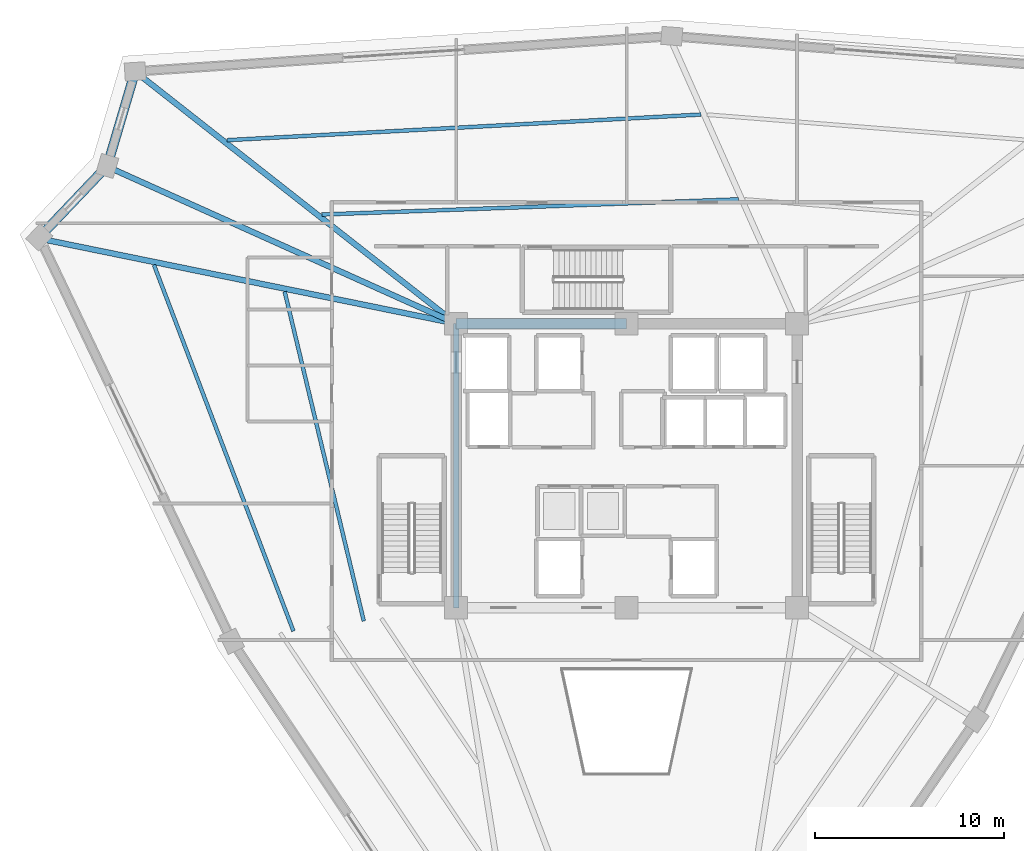
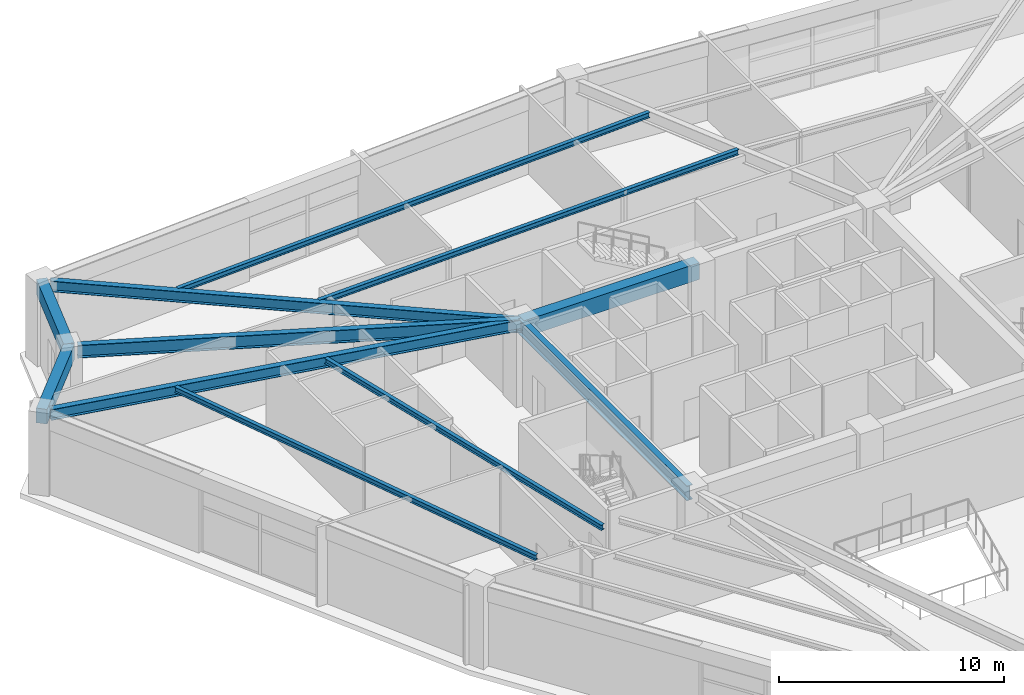
# One storey, part 17 of 35: 11 beams.
"""IFC4 building model written with IfcOpenShell, lengths in metres."""

from ifc_helpers import new_model, si_unit, direction, frame, origin, origin_2d, place, context, subcontext, project, spatial, rectangle, i_section, extrude, source, transform, mapped, material, material_profile, profile_set, type_object, element, save


model = new_model("IFC4")

# Units and contexts
model_context = context("Model", 3, precision=1e-05, world=origin(), true_north=direction((0.0, 1.0)))
body_context = subcontext(model_context, "Body", "Model", "MODEL_VIEW")
ifc_project = project(units=[si_unit("LENGTHUNIT", "METRE"), si_unit("AREAUNIT", "SQUARE_METRE"), si_unit("VOLUMEUNIT", "CUBIC_METRE"), si_unit("PLANEANGLEUNIT", "RADIAN"), si_unit("MASSUNIT", "GRAM", prefix="KILO")], contexts=[model_context])

# Site, building, storey
site_placement = place(None, origin())
site = spatial("IfcSite", under=ifc_project, at=site_placement, CompositionType="ELEMENT")
building_placement = place(site_placement, origin())
building = spatial("IfcBuilding", under=site, at=building_placement, Name="Liaohun Quay Tower", CompositionType="ELEMENT")
storey_placement = place(building_placement, frame((0.0, 0.0, 282.0)))
storey = spatial("IfcBuildingStorey", under=building, at=storey_placement, Name="L73", CompositionType="ELEMENT", Elevation=282.0)

# Beams
ifc_material_1 = material(Name="Steel Q355D", Category="steel")
ifc_material_profile_1 = material_profile(ifc_material_1, i_section(OverallWidth=0.300048828125, OverallDepth=0.800048828125, WebThickness=0.013916015625, FlangeThickness=0.02587890625, at=origin_2d()), Name="HN800x300x14x26")
ifc_profile_set_1 = profile_set([ifc_material_profile_1], Name="Steel Q355D")
beam_type_1 = type_object("IfcBeamType", Name="BM-RAD-M1", PredefinedType="BEAM", material=ifc_profile_set_1)
shared_shape_1 = source(origin(), body_context, "Body", "SweptSolid", [
    extrude(i_section(OverallWidth=0.300048828125, OverallDepth=0.800048828125, WebThickness=0.013916015625, FlangeThickness=0.02587890625, at=origin_2d()), origin(), (0.0, 0.0, 1.0), 15.0),
])
beam_1_placement = place(storey_placement, frame((51.0, 61.5, 3.919921875), z_axis=(0.0, -1.0, 0.0), x_axis=(1.0, 0.0, 0.0)))
element("IfcBeam", 1, at=beam_1_placement, inside=storey, type_object=beam_type_1, Name="L73 Core Coupling/Ring Beam CC6-CC1", PredefinedType="BEAM", context=body_context, shape_type="MappedRepresentation", body=[
    mapped(shared_shape_1, transform((0.0, 0.0, 0.0), x_axis=(1.0, 0.0, 0.0), y_axis=(0.0, 1.0, 0.0), z_axis=(0.0, 0.0, 1.0), scale=1.0)),
])
ifc_material_2 = material(Name="Concrete C55", Category="concrete")
ifc_material_profile_2 = material_profile(ifc_material_2, rectangle(XDim=0.550048828125, YDim=0.89990234375, at=origin_2d()), Name="RC550x900")
ifc_profile_set_2 = profile_set([ifc_material_profile_2], Name="Concrete C55")
beam_type_2 = type_object("IfcBeamType", Name="BM-CPL-2", PredefinedType="LINTEL", material=ifc_profile_set_2)
shared_shape_2 = source(origin(), body_context, "Body", "SweptSolid", [
    extrude(rectangle(XDim=0.550048828125, YDim=0.89990234375, at=origin_2d()), origin(), (0.0, 0.0, 1.0), 9.0),
])
beam_2_placement = place(storey_placement, frame((60.0, 61.5, 3.8701171875), z_axis=(-1.0, 0.0, 0.0), x_axis=(0.0, -1.0, 0.0)))
element("IfcBeam", 2, at=beam_2_placement, inside=storey, type_object=beam_type_2, Name="L73 Core Coupling/Ring Beam CC5-CC6", PredefinedType="LINTEL", context=body_context, shape_type="MappedRepresentation", body=[
    mapped(shared_shape_2, transform((0.0, 0.0, 0.0), x_axis=(1.0, 0.0, 0.0), y_axis=(0.0, 1.0, 0.0), z_axis=(0.0, 0.0, 1.0), scale=1.0)),
])
ifc_material_3 = material(Name="Precast concrete C50", Category="concrete")
ifc_material_profile_3 = material_profile(ifc_material_3, rectangle(XDim=0.5, YDim=0.800048828125, at=origin_2d()), Name="RC500x800")
ifc_profile_set_3 = profile_set([ifc_material_profile_3], Name="Precast concrete C50")
beam_type_3 = type_object("IfcBeamType", Name="BM-SPD-Z4", PredefinedType="SPANDREL", material=ifc_profile_set_3)
shared_shape_3 = source(origin(), body_context, "Body", "SweptSolid", [
    extrude(rectangle(XDim=0.5, YDim=0.800048828125, at=origin_2d()), origin(), (0.0, 0.0, 1.0), 5.20654296875),
])
beam_3_placement = place(storey_placement, frame((28.99609375, 66.055908203125, 3.919921875), z_axis=(0.689303823825, 0.724472386265, 0.0), x_axis=(-0.724472386265, 0.689303823825, 0.0)))
element("IfcBeam", 3, at=beam_3_placement, inside=storey, type_object=beam_type_3, Name="L73 Precast Spandrel Beam PC03-PC04", PredefinedType="SPANDREL", context=body_context, shape_type="MappedRepresentation", body=[
    mapped(shared_shape_3, transform((0.0, 0.0, 0.0), x_axis=(1.0, 0.0, 0.0), y_axis=(0.0, 1.0, 0.0), z_axis=(0.0, 0.0, 1.0), scale=1.0)),
])
shared_shape_4 = source(origin(), body_context, "Body", "SweptSolid", [
    extrude(rectangle(XDim=0.5, YDim=0.800048828125, at=origin_2d()), origin(), (0.0, 0.0, 1.0), 5.199462890625),
])
beam_4_placement = place(storey_placement, frame((32.5849609375, 69.827880859375, 3.919921875), z_axis=(0.282903463014, 0.959148388215, 0.0), x_axis=(-0.959148388215, 0.282903463014, 0.0)))
element("IfcBeam", 4, at=beam_4_placement, inside=storey, type_object=beam_type_3, Name="L73 Precast Spandrel Beam PC04-PC05", PredefinedType="SPANDREL", context=body_context, shape_type="MappedRepresentation", body=[
    mapped(shared_shape_4, transform((0.0, 0.0, 0.0), x_axis=(1.0, 0.0, 0.0), y_axis=(0.0, 1.0, 0.0), z_axis=(0.0, 0.0, 1.0), scale=1.0)),
])
ifc_material_profile_4 = material_profile(ifc_material_1, i_section(OverallWidth=0.300048828125, OverallDepth=0.587890625, WebThickness=0.011962890625, FlangeThickness=0.02001953125, at=origin_2d()), Name="HM588x300x12x20")
ifc_profile_set_4 = profile_set([ifc_material_profile_4], Name="Steel Q355D")
beam_type_4 = type_object("IfcBeamType", Name="BM-RAD-U2", PredefinedType="BEAM", material=ifc_profile_set_4)
shared_shape_5 = source(origin(), body_context, "Body", "SweptSolid", [
    extrude(i_section(OverallWidth=0.300048828125, OverallDepth=0.587890625, WebThickness=0.011962890625, FlangeThickness=0.02001953125, at=origin_2d()), origin(), (0.0, 0.0, 1.0), 22.088134765625),
])
beam_5_placement = place(storey_placement, frame((51.0, 61.5, 4.02587890625), z_axis=(-0.979801937403, 0.199970406465, 0.0), x_axis=(-0.199970406465, -0.979801937403, 0.0)))
element("IfcBeam", 5, at=beam_5_placement, inside=storey, type_object=beam_type_4, Name="L73 Radial Primary Girder CC6-PC03", PredefinedType="BEAM", context=body_context, shape_type="MappedRepresentation", body=[
    mapped(shared_shape_5, transform((0.0, 0.0, 0.0), x_axis=(1.0, 0.0, 0.0), y_axis=(0.0, 1.0, 0.0), z_axis=(0.0, 0.0, 1.0), scale=1.0)),
])
ifc_material_profile_5 = material_profile(ifc_material_1, i_section(OverallWidth=0.300048828125, OverallDepth=0.699951171875, WebThickness=0.012939453125, FlangeThickness=0.02392578125, at=origin_2d()), Name="HN700x300x13x24")
ifc_profile_set_5 = profile_set([ifc_material_profile_5], Name="Steel Q355D")
beam_type_5 = type_object("IfcBeamType", Name="BM-RAD-U1", PredefinedType="BEAM", material=ifc_profile_set_5)
shared_shape_6 = source(origin(), body_context, "Body", "SweptSolid", [
    extrude(i_section(OverallWidth=0.300048828125, OverallDepth=0.699951171875, WebThickness=0.012939453125, FlangeThickness=0.02392578125, at=origin_2d()), origin(), (0.0, 0.0, 1.0), 19.843994140625),
])
beam_6_placement = place(storey_placement, frame((51.0, 61.5, 3.969970703125), z_axis=(-0.911905160232, 0.410400997491, 0.0), x_axis=(-0.410400997491, -0.911905160232, 0.0)))
element("IfcBeam", 6, at=beam_6_placement, inside=storey, type_object=beam_type_5, Name="L73 Radial Primary Girder CC6-PC04", PredefinedType="BEAM", context=body_context, shape_type="MappedRepresentation", body=[
    mapped(shared_shape_6, transform((0.0, 0.0, 0.0), x_axis=(1.0, 0.0, 0.0), y_axis=(0.0, 1.0, 0.0), z_axis=(0.0, 0.0, 1.0), scale=1.0)),
])
shared_shape_7 = source(origin(), body_context, "Body", "SweptSolid", [
    extrude(i_section(OverallWidth=0.300048828125, OverallDepth=0.587890625, WebThickness=0.011962890625, FlangeThickness=0.02001953125, at=origin_2d()), origin(), (0.0, 0.0, 1.0), 21.16162109375),
])
beam_7_placement = place(storey_placement, frame((51.0, 61.5, 4.02587890625), z_axis=(-0.786470441926, 0.617627917097, 0.0), x_axis=(-0.617627917097, -0.786470441926, 0.0)))
element("IfcBeam", 7, at=beam_7_placement, inside=storey, type_object=beam_type_4, Name="L73 Radial Primary Girder CC6-PC05", PredefinedType="BEAM", context=body_context, shape_type="MappedRepresentation", body=[
    mapped(shared_shape_7, transform((0.0, 0.0, 0.0), x_axis=(1.0, 0.0, 0.0), y_axis=(0.0, 1.0, 0.0), z_axis=(0.0, 0.0, 1.0), scale=1.0)),
])
ifc_material_profile_6 = material_profile(ifc_material_1, i_section(OverallWidth=0.199951171875, OverallDepth=0.2939453125, WebThickness=0.008056640625, FlangeThickness=0.011962890625, at=origin_2d()), Name="HM294x200x8x12")
ifc_profile_set_6 = profile_set([ifc_material_profile_6], Name="Steel Q355D")
beam_type_6 = type_object("IfcBeamType", Name="BM-SEC-J4", PredefinedType="JOIST", material=ifc_profile_set_6)
shared_shape_8 = source(origin(), body_context, "Body", "SweptSolid", [
    extrude(i_section(OverallWidth=0.199951171875, OverallDepth=0.2939453125, WebThickness=0.008056640625, FlangeThickness=0.011962890625, at=origin_2d()), origin(), (0.0, 0.0, 1.0), 17.8896484375),
])
beam_8_placement = place(storey_placement, frame((46.126953125, 45.799072265625, 4.173095703125), z_axis=(-0.233540697382, 0.9723470279, 0.0), x_axis=(-0.9723470279, -0.233540697382, 0.0)))
element("IfcBeam", 8, at=beam_8_placement, inside=storey, type_object=beam_type_6, Name="L73 Wing Secondary Floor Joist SJ-04", PredefinedType="JOIST", context=body_context, shape_type="MappedRepresentation", body=[
    mapped(shared_shape_8, transform((0.0, 0.0, 0.0), x_axis=(1.0, 0.0, 0.0), y_axis=(0.0, 1.0, 0.0), z_axis=(0.0, 0.0, 1.0), scale=1.0)),
])
shared_shape_9 = source(origin(), body_context, "Body", "SweptSolid", [
    extrude(i_section(OverallWidth=0.199951171875, OverallDepth=0.2939453125, WebThickness=0.008056640625, FlangeThickness=0.011962890625, at=origin_2d()), origin(), (0.0, 0.0, 1.0), 20.693603515625),
])
beam_9_placement = place(storey_placement, frame((42.4140625, 45.264892578125, 4.173095703125), z_axis=(-0.355955588077, 0.934502872824, 0.0), x_axis=(-0.934502872824, -0.355955588077, 0.0)))
element("IfcBeam", 9, at=beam_9_placement, inside=storey, type_object=beam_type_6, Name="L73 Wing Secondary Floor Joist SJ-05", PredefinedType="JOIST", context=body_context, shape_type="MappedRepresentation", body=[
    mapped(shared_shape_9, transform((0.0, 0.0, 0.0), x_axis=(1.0, 0.0, 0.0), y_axis=(0.0, 1.0, 0.0), z_axis=(0.0, 0.0, 1.0), scale=1.0)),
])
shared_shape_10 = source(origin(), body_context, "Body", "SweptSolid", [
    extrude(i_section(OverallWidth=0.199951171875, OverallDepth=0.2939453125, WebThickness=0.008056640625, FlangeThickness=0.011962890625, at=origin_2d()), origin(), (0.0, 0.0, 1.0), 22.022705078125),
])
beam_10_placement = place(storey_placement, frame((43.908935546875, 67.259033203125, 4.173095703125), z_axis=(0.999335062037, 0.036461401287, 0.0), x_axis=(-0.036461401287, 0.999335062037, 0.0)))
element("IfcBeam", 10, at=beam_10_placement, inside=storey, type_object=beam_type_6, Name="L73 Wing Secondary Floor Joist SJ-06", PredefinedType="JOIST", context=body_context, shape_type="MappedRepresentation", body=[
    mapped(shared_shape_10, transform((0.0, 0.0, 0.0), x_axis=(1.0, 0.0, 0.0), y_axis=(0.0, 1.0, 0.0), z_axis=(0.0, 0.0, 1.0), scale=1.0)),
])
shared_shape_11 = source(origin(), body_context, "Body", "SweptSolid", [
    extrude(i_section(OverallWidth=0.199951171875, OverallDepth=0.2939453125, WebThickness=0.008056640625, FlangeThickness=0.011962890625, at=origin_2d()), origin(), (0.0, 0.0, 1.0), 25.0517578125),
])
beam_11_placement = place(storey_placement, frame((38.910888671875, 71.18408203125, 4.173095703125), z_axis=(0.99854042723, 0.054009399072, 0.0), x_axis=(-0.054009399072, 0.99854042723, 0.0)))
element("IfcBeam", 11, at=beam_11_placement, inside=storey, type_object=beam_type_6, Name="L73 Wing Secondary Floor Joist SJ-07", PredefinedType="JOIST", context=body_context, shape_type="MappedRepresentation", body=[
    mapped(shared_shape_11, transform((0.0, 0.0, 0.0), x_axis=(1.0, 0.0, 0.0), y_axis=(0.0, 1.0, 0.0), z_axis=(0.0, 0.0, 1.0), scale=1.0)),
])

save(model, "model.ifc")
